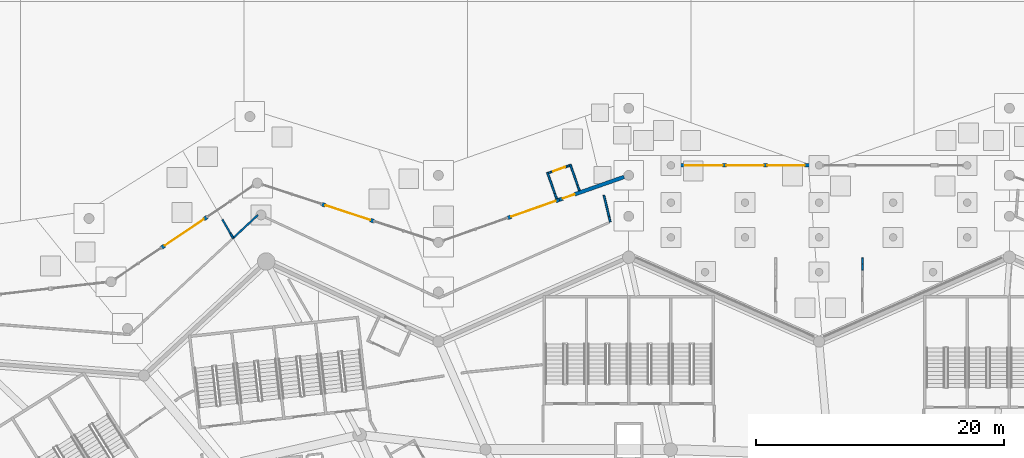
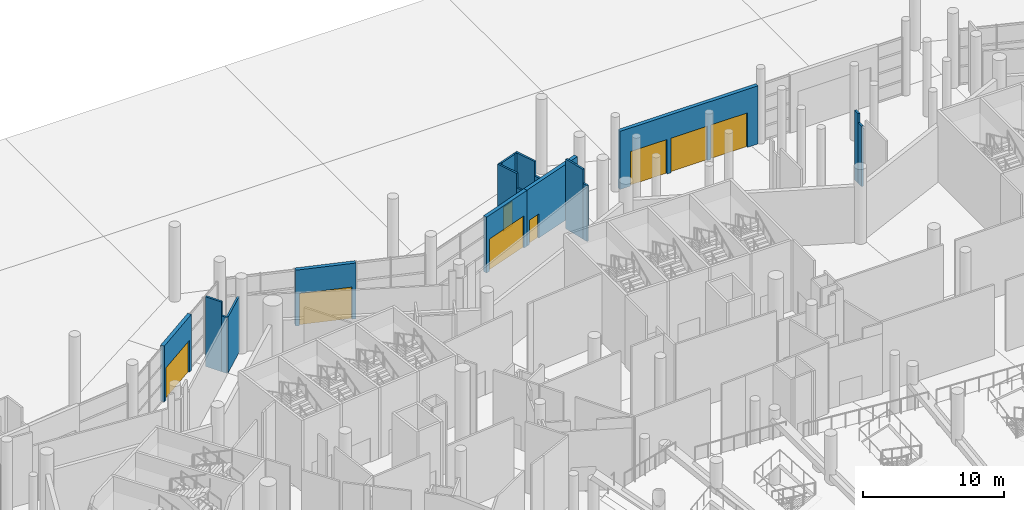
# One storey, part 143 of 255: 19 walls, 8 doors, 8 openings.
"""IFC4 building model written with IfcOpenShell, lengths in metres."""

from ifc_helpers import new_model, si_unit, direction, frame, frame_2d, origin, place, context, subcontext, project, spatial, rectangle, extrude, material, layer, layer_set, type_object, element, fill, save


model = new_model("IFC4")

# Units and contexts
model_context = context("Model", 3, precision=1e-05, world=origin(), true_north=direction((0.0, 1.0)))
body_context = subcontext(model_context, "Body", "Model", "MODEL_VIEW")
ifc_project = project(units=[si_unit("LENGTHUNIT", "METRE"), si_unit("AREAUNIT", "SQUARE_METRE"), si_unit("VOLUMEUNIT", "CUBIC_METRE"), si_unit("PLANEANGLEUNIT", "RADIAN"), si_unit("MASSUNIT", "GRAM", prefix="KILO")], contexts=[model_context])

# Site, building, storey
site_placement = place(None, origin())
site = spatial("IfcSite", under=ifc_project, at=site_placement, CompositionType="ELEMENT")
building_placement = place(site_placement, origin())
building = spatial("IfcBuilding", under=site, at=building_placement, Name="Meseta Stadium", CompositionType="ELEMENT")
storey_placement = place(building_placement, origin())
storey = spatial("IfcBuildingStorey", under=building, at=storey_placement, Name="L00", CompositionType="ELEMENT", Elevation=0.0)

# Wall, openings, doors
ifc_material_1 = material(Name="Precast concrete C40/50", Category="concrete")
ifc_layer_1 = layer(ifc_material_1, 0.300048828125)
ifc_layer_set_1 = layer_set([ifc_layer_1], Name="Gate facade panel wall 300")
wall_type_1 = type_object("IfcWallType", Name="Gate facade panel wall 300", PredefinedType="SOLIDWALL", material=ifc_layer_set_1)
wall_1_placement = place(storey_placement, frame((-19.300048828125, 112.800048828125, 0.0), z_axis=(0.0, 0.0, 1.0), x_axis=(1.0, 0.0, 0.0)))
wall_1 = element("IfcWall", 1, at=wall_1_placement, inside=storey, type_object=wall_type_1, Name="Gate 3 entrance wall", PredefinedType="SOLIDWALL", context=body_context, shape_type="SweptSolid", body=[
    extrude(rectangle(XDim=11.333251953125, YDim=0.300048828125, at=frame_2d((5.66650390625, 0.0))), origin(), (0.0, 0.0, 1.0), 5.050048828125),
])
opening_1_placement = place(wall_1_placement, frame((7.466796875, 0.0, 0.0)))
opening_1 = element("IfcOpeningElement", 2, at=opening_1_placement, cuts=wall_1, Name="Opening D011", PredefinedType="OPENING", context=body_context, shape_type="SweptSolid", body=[
    extrude(rectangle(XDim=3.0, YDim=3.0, at=frame_2d((1.5, 1.5))), frame((0.0, 0.159912109375, 0.0), z_axis=(0.0, -1.0, 0.0), x_axis=(1.0, 0.0, 0.0)), (0.0, 0.0, 1.0), 0.320068359375),
])
opening_2_placement = place(wall_1_placement, frame((4.166748046875, 0.0, 0.0)))
opening_2 = element("IfcOpeningElement", 3, at=opening_2_placement, cuts=wall_1, Name="Opening D012", PredefinedType="OPENING", context=body_context, shape_type="SweptSolid", body=[
    extrude(rectangle(XDim=3.0, YDim=3.0, at=frame_2d((1.5, 1.5))), frame((0.0, 0.159912109375, 0.0), z_axis=(0.0, -1.0, 0.0), x_axis=(1.0, 0.0, 0.0)), (0.0, 0.0, 1.0), 0.320068359375),
])
opening_3_placement = place(wall_1_placement, frame((0.86669921875, 0.0, 0.0)))
opening_3 = element("IfcOpeningElement", 4, at=opening_3_placement, cuts=wall_1, Name="Opening D013", PredefinedType="OPENING", context=body_context, shape_type="SweptSolid", body=[
    extrude(rectangle(XDim=3.0, YDim=3.0, at=frame_2d((1.5, 1.5))), frame((0.0, 0.159912109375, 0.0), z_axis=(0.0, -1.0, 0.0), x_axis=(1.0, 0.0, 0.0)), (0.0, 0.0, 1.0), 0.320068359375),
])
ifc_material_2 = material(Name="Steel", Category="steel")
door_type_1 = type_object("IfcDoorType", Name="Pedestrian exit door 3000x3000", OperationType="DOUBLE_DOOR_SINGLE_SWING", PredefinedType="DOOR", material=ifc_material_2)
door_1_placement = place(opening_1_placement, origin())
door_1 = element("IfcDoor", 5, at=door_1_placement, inside=storey, type_object=door_type_1, Name="Pedestrian exit gate G3", OperationType="DOUBLE_DOOR_SINGLE_SWING", OverallHeight=3.0, OverallWidth=3.0, PredefinedType="DOOR", context=body_context, shape_type="SweptSolid", body=[
    extrude(rectangle(XDim=3.0, YDim=3.0, at=frame_2d((1.5, 1.5))), frame((0.0, 0.02490234375, 0.0), z_axis=(0.0, -1.0, 0.0), x_axis=(1.0, 0.0, 0.0)), (0.0, 0.0, 1.0), 0.050048828125),
])
fill(opening_1, door_1)
door_2_placement = place(opening_2_placement, origin())
door_2 = element("IfcDoor", 6, at=door_2_placement, inside=storey, type_object=door_type_1, Name="Pedestrian exit gate G3", OperationType="DOUBLE_DOOR_SINGLE_SWING", OverallHeight=3.0, OverallWidth=3.0, PredefinedType="DOOR", context=body_context, shape_type="SweptSolid", body=[
    extrude(rectangle(XDim=3.0, YDim=3.0, at=frame_2d((1.5, 1.5))), frame((0.0, 0.02490234375, 0.0), z_axis=(0.0, -1.0, 0.0), x_axis=(1.0, 0.0, 0.0)), (0.0, 0.0, 1.0), 0.050048828125),
])
fill(opening_2, door_2)
door_3_placement = place(opening_3_placement, origin())
door_3 = element("IfcDoor", 7, at=door_3_placement, inside=storey, type_object=door_type_1, Name="Pedestrian exit gate G3", OperationType="DOUBLE_DOOR_SINGLE_SWING", OverallHeight=3.0, OverallWidth=3.0, PredefinedType="DOOR", context=body_context, shape_type="SweptSolid", body=[
    extrude(rectangle(XDim=3.0, YDim=3.0, at=frame_2d((1.5, 1.5))), frame((0.0, 0.02490234375, 0.0), z_axis=(0.0, -1.0, 0.0), x_axis=(1.0, 0.0, 0.0)), (0.0, 0.0, 1.0), 0.050048828125),
])
fill(opening_3, door_3)

# Walls
ifc_material_3 = material(Name="Masonry blockwork", Category="masonry")
ifc_layer_2 = layer(ifc_material_3, 0.14990234375)
ifc_layer_set_2 = layer_set([ifc_layer_2], Name="Partition 150")
wall_type_2 = type_object("IfcWallType", Name="Partition 150", PredefinedType="PARTITIONING", material=ifc_layer_set_2)
wall_2_placement = place(storey_placement, frame((-4.166748046875, 104.364990234375, 0.0), z_axis=(0.0, 0.0, 1.0), x_axis=(0.0, 1.0, 0.0)))
element("IfcWall", 8, at=wall_2_placement, inside=storey, type_object=wall_type_2, Name="Partition L00 G3-L00-0-SecurityScreening-0", PredefinedType="PARTITIONING", context=body_context, shape_type="SweptSolid", body=[
    extrude(rectangle(XDim=0.49267578125, YDim=0.14990234375, at=frame_2d((0.246337890625, 0.0))), origin(), (0.0, 0.0, 1.0), 5.25),
])
wall_3_placement = place(storey_placement, frame((-4.166748046875, 104.857666015625, 0.0), z_axis=(0.0, 0.0, 1.0), x_axis=(0.0, 1.0, 0.0)))
element("IfcWall", 9, at=wall_3_placement, inside=storey, type_object=wall_type_2, Name="Partition L00 G3-L00-0-SecurityScreening-0", PredefinedType="PARTITIONING", context=body_context, shape_type="SweptSolid", body=[
    extrude(rectangle(XDim=0.492431640625, YDim=0.14990234375, at=frame_2d((0.24609375, 0.0))), origin(), (0.0, 0.0, 1.0), 6.050048828125),
])
wall_4_placement = place(storey_placement, frame((-24.998779296875, 110.39501953125, 0.0), z_axis=(0.0, 0.0, 1.0), x_axis=(0.231589466369, -0.972813609623, 0.0)))
element("IfcWall", 10, at=wall_4_placement, inside=storey, type_object=wall_type_2, Name="Partition L00 L00-ring10-0", PredefinedType="PARTITIONING", context=body_context, shape_type="SweptSolid", body=[
    extrude(rectangle(XDim=1.77099609375, YDim=0.14990234375, at=frame_2d((0.885498046875, 0.0))), origin(), (0.0, 0.0, 1.0), 6.050048828125),
])
wall_5_placement = place(storey_placement, frame((-24.588623046875, 108.672119140625, 0.0), z_axis=(0.0, 0.0, 1.0), x_axis=(0.231620527306, -0.972806214685, 0.0)))
element("IfcWall", 11, at=wall_5_placement, inside=storey, type_object=wall_type_2, Name="Partition L00 L00-ring10-0", PredefinedType="PARTITIONING", context=body_context, shape_type="SweptSolid", body=[
    extrude(rectangle(XDim=0.442626953125, YDim=0.14990234375, at=frame_2d((0.22119140625, 0.0))), origin(), (0.0, 0.0, 1.0), 4.85009765625),
])
wall_6_placement = place(storey_placement, frame((-52.866943359375, 108.80712890625, 0.0), z_axis=(0.0, 0.0, 1.0), x_axis=(-0.731527016753, -0.681812454976, 0.0)))
element("IfcWall", 12, at=wall_6_placement, inside=storey, type_object=wall_type_2, Name="Partition L00 L00-ring10-0", PredefinedType="PARTITIONING", context=body_context, shape_type="SweptSolid", body=[
    extrude(rectangle(XDim=2.7353515625, YDim=0.14990234375, at=frame_2d((1.36767578125, 0.0))), origin(), (0.0, 0.0, 1.0), 4.85009765625),
])
wall_7_placement = place(storey_placement, frame((-54.867919921875, 106.942138671875, 0.0), z_axis=(0.0, 0.0, 1.0), x_axis=(-0.500258826225, 0.865875918815, 0.0)))
element("IfcWall", 13, at=wall_7_placement, inside=storey, type_object=wall_type_2, Name="Partition L00 L00-ring10-0", PredefinedType="PARTITIONING", context=body_context, shape_type="SweptSolid", body=[
    extrude(rectangle(XDim=0.433349609375, YDim=0.14990234375, at=frame_2d((0.216796875, 0.0))), origin(), (0.0, 0.0, 1.0), 4.85009765625),
])
wall_8_placement = place(storey_placement, frame((-55.084716796875, 107.3173828125, 0.0), z_axis=(0.0, 0.0, 1.0), x_axis=(-0.50037765803, 0.865807252998, 0.0)))
element("IfcWall", 14, at=wall_8_placement, inside=storey, type_object=wall_type_2, Name="Partition L00 L00-ring10-0", PredefinedType="PARTITIONING", context=body_context, shape_type="SweptSolid", body=[
    extrude(rectangle(XDim=1.30078125, YDim=0.14990234375, at=frame_2d((0.650390625, 0.0))), origin(), (0.0, 0.0, 1.0), 6.050048828125),
])
wall_9_placement = place(storey_placement, frame((-28.806396484375, 110.1142578125, 0.0), z_axis=(0.0, 0.0, 1.0), x_axis=(-0.332621430713, 0.943060434877, 0.0)))
element("IfcWall", 15, at=wall_9_placement, inside=storey, type_object=wall_type_2, Name="Partition L00 L00-ring10-0 vestibule", PredefinedType="PARTITIONING", context=body_context, shape_type="SweptSolid", body=[
    extrude(rectangle(XDim=0.449951171875, YDim=0.14990234375, at=frame_2d((0.22509765625, 0.0))), origin(), (0.0, 0.0, 1.0), 4.85009765625),
])
wall_10_placement = place(storey_placement, frame((-28.9560546875, 110.53857421875, 0.0), z_axis=(0.0, 0.0, 1.0), x_axis=(-0.332174408782, 0.943217982308, 0.0)))
element("IfcWall", 16, at=wall_10_placement, inside=storey, type_object=wall_type_2, Name="Partition L00 L00-ring10-0 vestibule", PredefinedType="PARTITIONING", context=body_context, shape_type="SweptSolid", body=[
    extrude(rectangle(XDim=1.800048828125, YDim=0.14990234375, at=frame_2d((0.89990234375, 0.0))), origin(), (0.0, 0.0, 1.0), 6.10009765625),
])
wall_11_placement = place(storey_placement, frame((-26.96728515625, 110.761962890625, 0.0), z_axis=(0.0, 0.0, 1.0), x_axis=(-0.332138720672, 0.943230549882, 0.0)))
element("IfcWall", 17, at=wall_11_placement, inside=storey, type_object=wall_type_2, Name="Partition L00 L00-ring10-0 vestibule", PredefinedType="PARTITIONING", context=body_context, shape_type="SweptSolid", body=[
    extrude(rectangle(XDim=0.449951171875, YDim=0.14990234375, at=frame_2d((0.22509765625, 0.0))), origin(), (0.0, 0.0, 1.0), 4.85009765625),
])
wall_12_placement = place(storey_placement, frame((-27.11669921875, 111.186279296875, 0.0), z_axis=(0.0, 0.0, 1.0), x_axis=(-0.332174408782, 0.943217982308, 0.0)))
element("IfcWall", 18, at=wall_12_placement, inside=storey, type_object=wall_type_2, Name="Partition L00 L00-ring10-0 vestibule", PredefinedType="PARTITIONING", context=body_context, shape_type="SweptSolid", body=[
    extrude(rectangle(XDim=1.800048828125, YDim=0.14990234375, at=frame_2d((0.89990234375, 0.0))), origin(), (0.0, 0.0, 1.0), 6.10009765625),
])
wall_13_placement = place(storey_placement, frame((-29.458251953125, 112.190673828125, 0.0), z_axis=(0.0, 0.0, 1.0), x_axis=(0.94330531524, 0.331926320498, 0.0)))
element("IfcWall", 19, at=wall_13_placement, inside=storey, type_object=wall_type_2, Name="Partition L00 L00-ring10-0 vestibule", PredefinedType="PARTITIONING", context=body_context, shape_type="SweptSolid", body=[
    extrude(rectangle(XDim=0.199951171875, YDim=0.14990234375, at=frame_2d((0.10009765625, 0.0))), origin(), (0.0, 0.0, 1.0), 6.10009765625),
])

# Wall, opening, door
wall_14_placement = place(storey_placement, frame((-29.26953125, 112.257080078125, 0.0), z_axis=(0.0, 0.0, 1.0), x_axis=(0.943247651759, 0.332090149584, 0.0)))
wall_14 = element("IfcWall", 20, at=wall_14_placement, inside=storey, type_object=wall_type_2, Name="Partition L00 L00-ring10-0 vestibule", PredefinedType="PARTITIONING", context=body_context, shape_type="SweptSolid", body=[
    extrude(rectangle(XDim=1.399658203125, YDim=0.14990234375, at=frame_2d((0.69970703125, 0.0))), origin(), (0.0, 0.0, 1.0), 6.10009765625),
])
opening_4_placement = place(wall_14_placement, frame((0.199951171875, 0.0, 0.0)))
opening_4 = element("IfcOpeningElement", 21, at=opening_4_placement, cuts=wall_14, Name="Opening D875", PredefinedType="OPENING", context=body_context, shape_type="SweptSolid", body=[
    extrude(rectangle(XDim=1.0, YDim=2.10009765625, at=frame_2d((0.5, 1.050048828125))), frame((0.0, 0.0849609375, 0.0), z_axis=(0.0, -1.0, 0.0), x_axis=(1.0, 0.0, 0.0)), (0.0, 0.0, 1.0), 0.169921875),
])
ifc_material_4 = material(Name="Steel", Category="steel")
door_type_2 = type_object("IfcDoorType", Name="Fire door 1000x2100 EI2 60", OperationType="NOTDEFINED", PredefinedType="DOOR", material=ifc_material_4)
door_4_placement = place(opening_4_placement, origin())
door_4 = element("IfcDoor", 22, at=door_4_placement, inside=storey, type_object=door_type_2, Name="Vestibule door L00 L00-ring10-0", OperationType="SINGLE_SWING_LEFT", OverallHeight=2.10009765625, OverallWidth=1.0, PredefinedType="DOOR", context=body_context, shape_type="SweptSolid", body=[
    extrude(rectangle(XDim=1.0, YDim=2.10009765625, at=frame_2d((0.5, 1.050048828125))), frame((0.0, 0.02490234375, 0.0), z_axis=(0.0, -1.0, 0.0), x_axis=(1.0, 0.0, 0.0)), (0.0, 0.0, 1.0), 0.050048828125),
])
fill(opening_4, door_4)

# Wall
wall_15_placement = place(storey_placement, frame((-27.94921875, 112.721923828125, 0.0), z_axis=(0.0, 0.0, 1.0), x_axis=(0.942922754758, 0.333011529171, 0.0)))
element("IfcWall", 23, at=wall_15_placement, inside=storey, type_object=wall_type_2, Name="Partition L00 L00-ring10-0 vestibule", PredefinedType="PARTITIONING", context=body_context, shape_type="SweptSolid", body=[
    extrude(rectangle(XDim=0.2001953125, YDim=0.14990234375, at=frame_2d((0.10009765625, 0.0))), origin(), (0.0, 0.0, 1.0), 6.10009765625),
])

# Wall, opening, door
ifc_material_5 = material(Name="Precast concrete C40/50", Category="concrete")
ifc_layer_3 = layer(ifc_material_5, 0.300048828125)
ifc_layer_set_3 = layer_set([ifc_layer_3], Name="Ring facade panel wall 300")
wall_type_3 = type_object("IfcWallType", Name="Ring facade panel wall 300", PredefinedType="SOLIDWALL", material=ifc_layer_set_3)
wall_16_placement = place(storey_placement, frame((-32.74169921875, 108.569091796875, 0.0), z_axis=(0.0, 0.0, 1.0), x_axis=(0.943210364758, 0.332196038226, 0.0)))
wall_16 = element("IfcWall", 24, at=wall_16_placement, inside=storey, type_object=wall_type_3, Name="Ring facade panel wall F20", PredefinedType="SOLIDWALL", context=body_context, shape_type="SweptSolid", body=[
    extrude(rectangle(XDim=4.39990234375, YDim=0.300048828125, at=frame_2d((2.199951171875, 0.0))), origin(), (0.0, 0.0, 1.0), 4.85009765625),
])
opening_5_placement = place(wall_16_placement, frame((0.300048828125, 0.0, 0.0)))
opening_5 = element("IfcOpeningElement", 25, at=opening_5_placement, cuts=wall_16, Name="Opening D946", PredefinedType="OPENING", context=body_context, shape_type="SweptSolid", body=[
    extrude(rectangle(XDim=3.800048828125, YDim=2.800048828125, at=frame_2d((1.89990234375, 1.39990234375))), frame((0.0, 0.159912109375, 0.0), z_axis=(0.0, -1.0, 0.0), x_axis=(1.0, 0.0, 0.0)), (0.0, 0.0, 1.0), 0.320068359375),
])
ifc_material_6 = material(Name="Steel", Category="steel")
door_type_3 = type_object("IfcDoorType", Name="Final exit door 3800x2800", OperationType="DOUBLE_DOOR_SINGLE_SWING", PredefinedType="DOOR", material=ifc_material_6)
door_5_placement = place(opening_5_placement, origin())
door_5 = element("IfcDoor", 26, at=door_5_placement, inside=storey, type_object=door_type_3, Name="Final exit F11", OperationType="DOUBLE_DOOR_SINGLE_SWING", OverallHeight=2.800048828125, OverallWidth=3.800048828125, PredefinedType="DOOR", context=body_context, shape_type="SweptSolid", body=[
    extrude(rectangle(XDim=3.800048828125, YDim=2.800048828125, at=frame_2d((1.89990234375, 1.39990234375))), frame((0.0, 0.02490234375, 0.0), z_axis=(0.0, -1.0, 0.0), x_axis=(1.0, 0.0, 0.0)), (0.0, 0.0, 1.0), 0.050048828125),
])
fill(opening_5, door_5)

wall_17_placement = place(storey_placement, frame((-28.591552734375, 110.03076171875, 0.0), z_axis=(0.0, 0.0, 1.0), x_axis=(0.943213513301, 0.332187098373, 0.0)))
wall_17 = element("IfcWall", 27, at=wall_17_placement, inside=storey, type_object=wall_type_3, Name="Ring store panel wall F20a", PredefinedType="SOLIDWALL", context=body_context, shape_type="SweptSolid", body=[
    extrude(rectangle(XDim=5.5283203125, YDim=0.300048828125, at=frame_2d((2.76416015625, 0.0))), origin(), (0.0, 0.0, 1.0), 4.85009765625),
])
opening_6_placement = place(wall_17_placement, frame((0.300048828125, 0.0, 0.0)))
opening_6 = element("IfcOpeningElement", 28, at=opening_6_placement, cuts=wall_17, Name="Opening D625", PredefinedType="OPENING", context=body_context, shape_type="SweptSolid", body=[
    extrude(rectangle(XDim=1.0, YDim=2.10009765625, at=frame_2d((0.5, 1.050048828125))), frame((0.0, 0.159912109375, 0.0), z_axis=(0.0, -1.0, 0.0), x_axis=(1.0, 0.0, 0.0)), (0.0, 0.0, 1.0), 0.320068359375),
])
door_6_placement = place(opening_6_placement, origin())
door_6 = element("IfcDoor", 29, at=door_6_placement, inside=storey, type_object=door_type_2, Name="Door D625", OperationType="SINGLE_SWING_LEFT", OverallHeight=2.10009765625, OverallWidth=1.0, PredefinedType="DOOR", context=body_context, shape_type="SweptSolid", body=[
    extrude(rectangle(XDim=1.0, YDim=2.10009765625, at=frame_2d((0.5, 1.050048828125))), frame((0.0, 0.02490234375, 0.0), z_axis=(0.0, -1.0, 0.0), x_axis=(1.0, 0.0, 0.0)), (0.0, 0.0, 1.0), 0.050048828125),
])
fill(opening_6, door_6)

wall_18_placement = place(storey_placement, frame((-47.715087890625, 109.67041015625, 0.0), z_axis=(0.0, 0.0, 1.0), x_axis=(0.950411144423, -0.310996232383, 0.0)))
wall_18 = element("IfcWall", 30, at=wall_18_placement, inside=storey, type_object=wall_type_3, Name="Ring facade panel wall F21", PredefinedType="SOLIDWALL", context=body_context, shape_type="SweptSolid", body=[
    extrude(rectangle(XDim=4.400146484375, YDim=0.300048828125, at=frame_2d((2.2001953125, 0.0))), origin(), (0.0, 0.0, 1.0), 4.85009765625),
])
opening_7_placement = place(wall_18_placement, frame((0.300048828125, 0.0, 0.0)))
opening_7 = element("IfcOpeningElement", 31, at=opening_7_placement, cuts=wall_18, Name="Opening D947", PredefinedType="OPENING", context=body_context, shape_type="SweptSolid", body=[
    extrude(rectangle(XDim=3.800048828125, YDim=2.800048828125, at=frame_2d((1.89990234375, 1.39990234375))), frame((0.0, 0.159912109375, 0.0), z_axis=(0.0, -1.0, 0.0), x_axis=(1.0, 0.0, 0.0)), (0.0, 0.0, 1.0), 0.320068359375),
])
door_7_placement = place(opening_7_placement, origin())
door_7 = element("IfcDoor", 32, at=door_7_placement, inside=storey, type_object=door_type_3, Name="Final exit F12", OperationType="DOUBLE_DOOR_SINGLE_SWING", OverallHeight=2.800048828125, OverallWidth=3.800048828125, PredefinedType="DOOR", context=body_context, shape_type="SweptSolid", body=[
    extrude(rectangle(XDim=3.800048828125, YDim=2.800048828125, at=frame_2d((1.89990234375, 1.39990234375))), frame((0.0, 0.02490234375, 0.0), z_axis=(0.0, -1.0, 0.0), x_axis=(1.0, 0.0, 0.0)), (0.0, 0.0, 1.0), 0.050048828125),
])
fill(opening_7, door_7)

wall_19_placement = place(storey_placement, frame((-60.6279296875, 106.16748046875, 0.0), z_axis=(0.0, 0.0, 1.0), x_axis=(0.828921355382, 0.559365163907, 0.0)))
wall_19 = element("IfcWall", 33, at=wall_19_placement, inside=storey, type_object=wall_type_3, Name="Ring facade panel wall F22", PredefinedType="SOLIDWALL", context=body_context, shape_type="SweptSolid", body=[
    extrude(rectangle(XDim=4.39990234375, YDim=0.300048828125, at=frame_2d((2.199951171875, 0.0))), origin(), (0.0, 0.0, 1.0), 4.85009765625),
])
opening_8_placement = place(wall_19_placement, frame((0.300048828125, 0.0, 0.0)))
opening_8 = element("IfcOpeningElement", 34, at=opening_8_placement, cuts=wall_19, Name="Opening D948", PredefinedType="OPENING", context=body_context, shape_type="SweptSolid", body=[
    extrude(rectangle(XDim=3.800048828125, YDim=2.800048828125, at=frame_2d((1.89990234375, 1.39990234375))), frame((0.0, 0.159912109375, 0.0), z_axis=(0.0, -1.0, 0.0), x_axis=(1.0, 0.0, 0.0)), (0.0, 0.0, 1.0), 0.320068359375),
])
door_8_placement = place(opening_8_placement, origin())
door_8 = element("IfcDoor", 35, at=door_8_placement, inside=storey, type_object=door_type_3, Name="Final exit F13", OperationType="DOUBLE_DOOR_SINGLE_SWING", OverallHeight=2.800048828125, OverallWidth=3.800048828125, PredefinedType="DOOR", context=body_context, shape_type="SweptSolid", body=[
    extrude(rectangle(XDim=3.800048828125, YDim=2.800048828125, at=frame_2d((1.89990234375, 1.39990234375))), frame((0.0, 0.02490234375, 0.0), z_axis=(0.0, -1.0, 0.0), x_axis=(1.0, 0.0, 0.0)), (0.0, 0.0, 1.0), 0.050048828125),
])
fill(opening_8, door_8)

save(model, "model.ifc")
